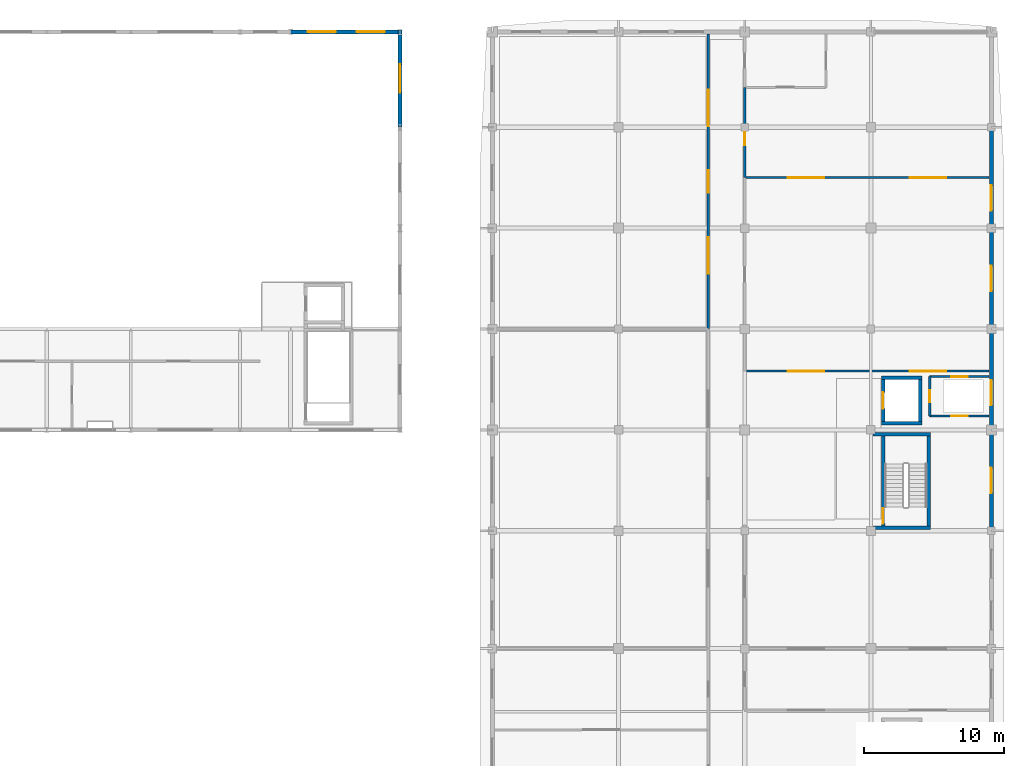
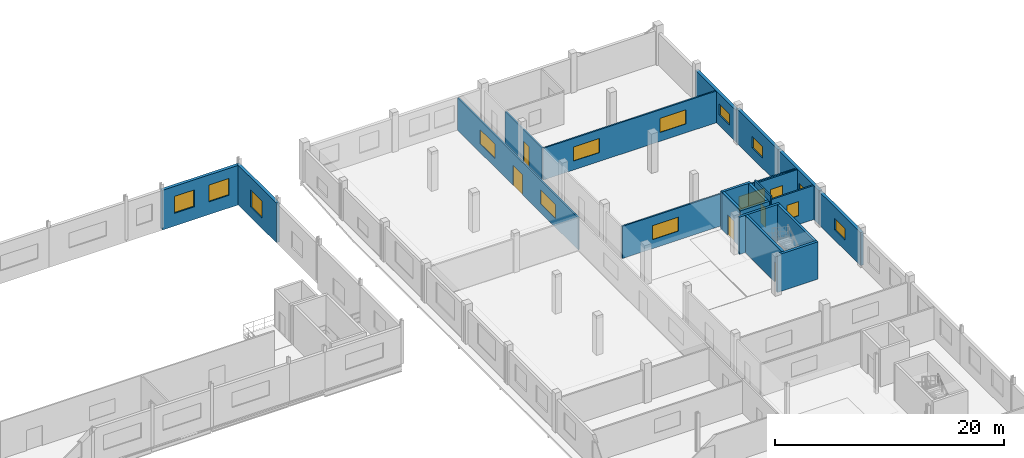
# One storey, part 103 of 121: 21 walls, 15 windows, 5 doors, 20 openings.
"""IFC4 building model written with IfcOpenShell, lengths in metres."""

from ifc_helpers import new_model, si_unit, direction, frame, frame_2d, origin, place, context, subcontext, project, spatial, rectangle, extrude, material, layer, layer_set, type_object, element, fill, save


model = new_model("IFC4")

# Units and contexts
model_context = context("Model", 3, precision=1e-05, world=origin(), true_north=direction((0.0, 1.0)))
body_context = subcontext(model_context, "Body", "Model", "MODEL_VIEW")
ifc_project = project(units=[si_unit("LENGTHUNIT", "METRE"), si_unit("AREAUNIT", "SQUARE_METRE"), si_unit("VOLUMEUNIT", "CUBIC_METRE"), si_unit("PLANEANGLEUNIT", "RADIAN"), si_unit("MASSUNIT", "GRAM", prefix="KILO")], contexts=[model_context])

# Site, building, storey
site_placement = place(None, origin())
site = spatial("IfcSite", under=ifc_project, at=site_placement, CompositionType="ELEMENT")
building_placement = place(site_placement, origin())
building = spatial("IfcBuilding", under=site, at=building_placement, Name="Vinh Khe Railworks Police Headquarters", CompositionType="ELEMENT")
storey_placement = place(building_placement, frame((0.0, 0.0, 4.800048828125)))
storey = spatial("IfcBuildingStorey", under=building, at=storey_placement, Name="L01", CompositionType="ELEMENT", Elevation=4.800048828125)

# Walls
ifc_material_1 = material(Name="Concrete C40/50 (B40)", Category="concrete")
ifc_layer_1 = layer(ifc_material_1, 0.25)
ifc_layer_set_1 = layer_set([ifc_layer_1], Name="Concrete C40/50 (B40)")
wall_type_1 = type_object("IfcWallType", Name="Core Shear Wall 250", PredefinedType="SHEAR", material=ifc_layer_set_1)
for number, where, z_axis, x_axis, name in (
    (1, (105.14990234375, 131.02490234375, 0.0), (0.0, 0.0, 1.0), (1.0, 0.0, 0.0), "Core C3 STAIR-S Shear Wall (L01)"),
    (2, (105.14990234375, 137.675048828125, 0.0), (0.0, 0.0, 1.0), (1.0, 0.0, 0.0), "Core C3 STAIR-N Shear Wall (L01)"),
):
    element("IfcWall", number, at=place(storey_placement, frame(where, z_axis=z_axis, x_axis=x_axis)), inside=storey, type_object=wall_type_1, Name=name, PredefinedType="SHEAR", context=body_context, shape_type="SweptSolid", body=[
        extrude(rectangle(XDim=4.10009765625, YDim=0.25, at=frame_2d((2.050048828125, 0.0))), origin(), (0.0, 0.0, 1.0), 3.97998046875),
    ])

# Wall, opening, door
wall_1_placement = place(storey_placement, frame((105.875, 131.14990234375, 0.0), z_axis=(0.0, 0.0, 1.0), x_axis=(0.0, 1.0, 0.0)))
wall_1 = element("IfcWall", 3, at=wall_1_placement, inside=storey, type_object=wall_type_1, Name="Core C3 STAIR-W Shear Wall (L01)", PredefinedType="SHEAR", context=body_context, shape_type="SweptSolid", body=[
    extrude(rectangle(XDim=6.400146484375, YDim=0.25, at=frame_2d((3.2001953125, 0.0))), origin(), (0.0, 0.0, 1.0), 3.97998046875),
])
opening_1_placement = place(wall_1_placement, frame((0.169921875, 0.0, 0.0)))
opening_1 = element("IfcOpeningElement", 4, at=opening_1_placement, cuts=wall_1, Name="Opening FD-01", PredefinedType="OPENING", context=body_context, shape_type="SweptSolid", body=[
    extrude(rectangle(XDim=1.10009765625, YDim=2.14990234375, at=frame_2d((0.550048828125, 1.074951171875))), frame((0.0, 0.139892578125, 0.0), z_axis=(0.0, -1.0, 0.0), x_axis=(1.0, 0.0, 0.0)), (0.0, 0.0, 1.0), 0.27978515625),
])
ifc_material_2 = material(Name="Painted galvanised steel", Category="steel")
door_type_1 = type_object("IfcDoorType", Name="FD-1100x2150", OperationType="NOTDEFINED", PredefinedType="DOOR", material=ifc_material_2)
door_1_placement = place(opening_1_placement, origin())
door_1 = element("IfcDoor", 5, at=door_1_placement, inside=storey, type_object=door_type_1, Name="Escape Stair ST-03 Fire Door L01", OperationType="SINGLE_SWING_RIGHT", OverallHeight=2.14990234375, OverallWidth=1.10009765625, PredefinedType="DOOR", context=body_context, shape_type="SweptSolid", body=[
    extrude(rectangle(XDim=1.10009765625, YDim=2.14990234375, at=frame_2d((0.550048828125, 1.074951171875))), frame((0.0, 0.02490234375, 0.0), z_axis=(0.0, -1.0, 0.0), x_axis=(1.0, 0.0, 0.0)), (0.0, 0.0, 1.0), 0.050048828125),
])
fill(opening_1, door_1)

# Walls
wall_2_placement = place(storey_placement, frame((109.125, 131.14990234375, 0.0), z_axis=(0.0, 0.0, 1.0), x_axis=(0.0, 1.0, 0.0)))
element("IfcWall", 6, at=wall_2_placement, inside=storey, type_object=wall_type_1, Name="Core C3 STAIR-E Shear Wall (L01)", PredefinedType="SHEAR", context=body_context, shape_type="SweptSolid", body=[
    extrude(rectangle(XDim=6.400146484375, YDim=0.25, at=frame_2d((3.2001953125, 0.0))), origin(), (0.0, 0.0, 1.0), 3.97998046875),
])
for number, where, z_axis, x_axis, name in (
    (7, (105.75, 138.47509765625, 0.0), (0.0, 0.0, 1.0), (1.0, 0.0, 0.0), "Core C3 PL-S Lift Shaft Wall (L01)"),
    (8, (105.75, 141.72509765625, 0.0), (0.0, 0.0, 1.0), (1.0, 0.0, 0.0), "Core C3 PL-N Lift Shaft Wall (L01)"),
):
    element("IfcWall", number, at=place(storey_placement, frame(where, z_axis=z_axis, x_axis=x_axis)), inside=storey, type_object=wall_type_1, Name=name, PredefinedType="SHEAR", context=body_context, shape_type="SweptSolid", body=[
        extrude(rectangle(XDim=2.89990234375, YDim=0.25, at=frame_2d((1.449951171875, 0.0))), origin(), (0.0, 0.0, 1.0), 3.97998046875),
    ])

# Wall, opening, door
wall_3_placement = place(storey_placement, frame((105.875, 138.60009765625, 0.0), z_axis=(0.0, 0.0, 1.0), x_axis=(0.0, 1.0, 0.0)))
wall_3 = element("IfcWall", 9, at=wall_3_placement, inside=storey, type_object=wall_type_1, Name="Core C3 PL-W Lift Shaft Wall (L01)", PredefinedType="SHEAR", context=body_context, shape_type="SweptSolid", body=[
    extrude(rectangle(XDim=3.0, YDim=0.25, at=frame_2d((1.5, 0.0))), origin(), (0.0, 0.0, 1.0), 3.97998046875),
])
opening_2_placement = place(wall_3_placement, frame((0.925048828125, 0.0, 0.0)))
opening_2 = element("IfcOpeningElement", 10, at=opening_2_placement, cuts=wall_3, Name="Opening LD-03", PredefinedType="OPENING", context=body_context, shape_type="SweptSolid", body=[
    extrude(rectangle(XDim=1.14990234375, YDim=2.14990234375, at=frame_2d((0.574951171875, 1.074951171875))), frame((0.0, 0.139892578125, 0.0), z_axis=(0.0, -1.0, 0.0), x_axis=(1.0, 0.0, 0.0)), (0.0, 0.0, 1.0), 0.27978515625),
])
door_type_2 = type_object("IfcDoorType", Name="LD-CUST-1150", OperationType="SLIDING_TO_LEFT", PredefinedType="DOOR", material=ifc_material_2)
door_2_placement = place(opening_2_placement, origin())
door_2 = element("IfcDoor", 11, at=door_2_placement, inside=storey, type_object=door_type_2, Name="Lift Landing Door PL-03 L01", OperationType="SLIDING_TO_LEFT", OverallHeight=2.14990234375, OverallWidth=1.14990234375, PredefinedType="DOOR", context=body_context, shape_type="SweptSolid", body=[
    extrude(rectangle(XDim=1.14990234375, YDim=2.14990234375, at=frame_2d((0.574951171875, 1.074951171875))), frame((0.0, 0.02490234375, 0.0), z_axis=(0.0, -1.0, 0.0), x_axis=(1.0, 0.0, 0.0)), (0.0, 0.0, 1.0), 0.050048828125),
])
fill(opening_2, door_2)

# Wall
wall_4_placement = place(storey_placement, frame((108.52490234375, 138.60009765625, 0.0), z_axis=(0.0, 0.0, 1.0), x_axis=(0.0, 1.0, 0.0)))
element("IfcWall", 12, at=wall_4_placement, inside=storey, type_object=wall_type_1, Name="Core C3 PL-E Lift Shaft Wall (L01)", PredefinedType="SHEAR", context=body_context, shape_type="SweptSolid", body=[
    extrude(rectangle(XDim=3.0, YDim=0.25, at=frame_2d((1.5, 0.0))), origin(), (0.0, 0.0, 1.0), 3.97998046875),
])

# Wall, opening, window
ifc_material_3 = material(Name="Clay brickwork", Category="masonry")
ifc_layer_2 = layer(ifc_material_3, 0.300048828125)
ifc_layer_set_2 = layer_set([ifc_layer_2], Name="Clay brickwork")
wall_type_2 = type_object("IfcWallType", Name="EW-BRK-300", PredefinedType="SOLIDWALL", material=ifc_layer_set_2)
wall_5_placement = place(storey_placement, frame((113.60009765625, 130.800048828125, 0.0), z_axis=(0.0, 0.0, 1.0), x_axis=(0.0, 1.0, 0.0)))
wall_5 = element("IfcWall", 13, at=wall_5_placement, inside=storey, type_object=wall_type_2, Name="Exterior Brick Wall EW-L01-V6E-05", PredefinedType="SOLIDWALL", context=body_context, shape_type="SweptSolid", body=[
    extrude(rectangle(XDim=7.199951171875, YDim=0.300048828125, at=frame_2d((3.60009765625, 0.0))), origin(), (0.0, 0.0, 1.0), 3.52490234375),
])
opening_3_placement = place(wall_5_placement, frame((2.699951171875, 0.0, 1.10009765625)))
opening_3 = element("IfcOpeningElement", 14, at=opening_3_placement, cuts=wall_5, Name="Opening WN-08", PredefinedType="OPENING", context=body_context, shape_type="SweptSolid", body=[
    extrude(rectangle(XDim=1.800048828125, YDim=1.199951171875, at=frame_2d((0.89990234375, 0.60009765625))), frame((0.0, 0.1650390625, 0.0), z_axis=(0.0, -1.0, 0.0), x_axis=(1.0, 0.0, 0.0)), (0.0, 0.0, 1.0), 0.329833984375),
])
ifc_material_4 = material(Name="Double-glazed solar-control glass in dark steel frame", Category="steel")
window_type_1 = type_object("IfcWindowType", Name="WIN-WN-08", PartitioningType="SINGLE_PANEL", PredefinedType="WINDOW", material=ifc_material_4)
window_1_placement = place(opening_3_placement, origin())
window_1 = element("IfcWindow", 15, at=window_1_placement, inside=storey, type_object=window_type_1, Name="Casement Window WN-08", OverallHeight=1.199951171875, OverallWidth=1.800048828125, PartitioningType="SINGLE_PANEL", PredefinedType="WINDOW", context=body_context, shape_type="SweptSolid", body=[
    extrude(rectangle(XDim=1.800048828125, YDim=1.199951171875, at=frame_2d((0.89990234375, 0.60009765625))), frame((0.0, 0.030029296875, 0.0), z_axis=(0.0, -1.0, 0.0), x_axis=(1.0, 0.0, 0.0)), (0.0, 0.0, 1.0), 0.06005859375),
])
fill(opening_3, window_1)

wall_6_placement = place(storey_placement, frame((113.60009765625, 138.0, 0.0), z_axis=(0.0, 0.0, 1.0), x_axis=(0.0, 1.0, 0.0)))
wall_6 = element("IfcWall", 16, at=wall_6_placement, inside=storey, type_object=wall_type_2, Name="Exterior Brick Wall EW-L01-V6E-06", PredefinedType="SOLIDWALL", context=body_context, shape_type="SweptSolid", body=[
    extrude(rectangle(XDim=7.199951171875, YDim=0.300048828125, at=frame_2d((3.60009765625, 0.0))), origin(), (0.0, 0.0, 1.0), 3.625),
])
opening_4_placement = place(wall_6_placement, frame((1.75, 0.0, 1.10009765625)))
opening_4 = element("IfcOpeningElement", 17, at=opening_4_placement, cuts=wall_6, Name="Opening WN-08", PredefinedType="OPENING", context=body_context, shape_type="SweptSolid", body=[
    extrude(rectangle(XDim=1.800048828125, YDim=1.199951171875, at=frame_2d((0.89990234375, 0.60009765625))), frame((0.0, 0.1650390625, 0.0), z_axis=(0.0, -1.0, 0.0), x_axis=(1.0, 0.0, 0.0)), (0.0, 0.0, 1.0), 0.329833984375),
])
window_2_placement = place(opening_4_placement, origin())
window_2 = element("IfcWindow", 18, at=window_2_placement, inside=storey, type_object=window_type_1, Name="Casement Window WN-08", OverallHeight=1.199951171875, OverallWidth=1.800048828125, PartitioningType="SINGLE_PANEL", PredefinedType="WINDOW", context=body_context, shape_type="SweptSolid", body=[
    extrude(rectangle(XDim=1.800048828125, YDim=1.199951171875, at=frame_2d((0.89990234375, 0.60009765625))), frame((0.0, 0.030029296875, 0.0), z_axis=(0.0, -1.0, 0.0), x_axis=(1.0, 0.0, 0.0)), (0.0, 0.0, 1.0), 0.06005859375),
])
fill(opening_4, window_2)

wall_7_placement = place(storey_placement, frame((113.60009765625, 145.199951171875, 0.0), z_axis=(0.0, 0.0, 1.0), x_axis=(0.0, 1.0, 0.0)))
wall_7 = element("IfcWall", 19, at=wall_7_placement, inside=storey, type_object=wall_type_2, Name="Exterior Brick Wall EW-L01-V6E-07", PredefinedType="SOLIDWALL", context=body_context, shape_type="SweptSolid", body=[
    extrude(rectangle(XDim=7.199951171875, YDim=0.300048828125, at=frame_2d((3.60009765625, 0.0))), origin(), (0.0, 0.0, 1.0), 3.64501953125),
])
opening_5_placement = place(wall_7_placement, frame((2.699951171875, 0.0, 1.10009765625)))
opening_5 = element("IfcOpeningElement", 20, at=opening_5_placement, cuts=wall_7, Name="Opening WN-08", PredefinedType="OPENING", context=body_context, shape_type="SweptSolid", body=[
    extrude(rectangle(XDim=1.800048828125, YDim=1.199951171875, at=frame_2d((0.89990234375, 0.60009765625))), frame((0.0, 0.1650390625, 0.0), z_axis=(0.0, -1.0, 0.0), x_axis=(1.0, 0.0, 0.0)), (0.0, 0.0, 1.0), 0.329833984375),
])
window_3_placement = place(opening_5_placement, origin())
window_3 = element("IfcWindow", 21, at=window_3_placement, inside=storey, type_object=window_type_1, Name="Casement Window WN-08", OverallHeight=1.199951171875, OverallWidth=1.800048828125, PartitioningType="SINGLE_PANEL", PredefinedType="WINDOW", context=body_context, shape_type="SweptSolid", body=[
    extrude(rectangle(XDim=1.800048828125, YDim=1.199951171875, at=frame_2d((0.89990234375, 0.60009765625))), frame((0.0, 0.030029296875, 0.0), z_axis=(0.0, -1.0, 0.0), x_axis=(1.0, 0.0, 0.0)), (0.0, 0.0, 1.0), 0.06005859375),
])
fill(opening_5, window_3)

wall_8_placement = place(storey_placement, frame((113.60009765625, 152.39990234375, 0.0), z_axis=(0.0, 0.0, 1.0), x_axis=(0.0, 1.0, 0.0)))
wall_8 = element("IfcWall", 22, at=wall_8_placement, inside=storey, type_object=wall_type_2, Name="Exterior Brick Wall EW-L01-V6E-08", PredefinedType="SOLIDWALL", context=body_context, shape_type="SweptSolid", body=[
    extrude(rectangle(XDim=7.2001953125, YDim=0.300048828125, at=frame_2d((3.60009765625, 0.0))), origin(), (0.0, 0.0, 1.0), 3.375),
])
opening_6_placement = place(wall_8_placement, frame((1.25, 0.0, 1.10009765625)))
opening_6 = element("IfcOpeningElement", 23, at=opening_6_placement, cuts=wall_8, Name="Opening WN-08", PredefinedType="OPENING", context=body_context, shape_type="SweptSolid", body=[
    extrude(rectangle(XDim=1.800048828125, YDim=1.199951171875, at=frame_2d((0.89990234375, 0.60009765625))), frame((0.0, 0.1650390625, 0.0), z_axis=(0.0, -1.0, 0.0), x_axis=(1.0, 0.0, 0.0)), (0.0, 0.0, 1.0), 0.329833984375),
])
window_4_placement = place(opening_6_placement, origin())
window_4 = element("IfcWindow", 24, at=window_4_placement, inside=storey, type_object=window_type_1, Name="Casement Window WN-08", OverallHeight=1.199951171875, OverallWidth=1.800048828125, PartitioningType="SINGLE_PANEL", PredefinedType="WINDOW", context=body_context, shape_type="SweptSolid", body=[
    extrude(rectangle(XDim=1.800048828125, YDim=1.199951171875, at=frame_2d((0.89990234375, 0.60009765625))), frame((0.0, 0.030029296875, 0.0), z_axis=(0.0, -1.0, 0.0), x_axis=(1.0, 0.0, 0.0)), (0.0, 0.0, 1.0), 0.06005859375),
])
fill(opening_6, window_4)

# Wall, openings, windows
wall_9_placement = place(storey_placement, frame((63.60009765625, 166.39990234375, -0.239990234375), z_axis=(0.0, 0.0, 1.0), x_axis=(1.0, 0.0, 0.0)))
wall_9 = element("IfcWall", 25, at=wall_9_placement, inside=storey, type_object=wall_type_2, Name="Exterior Brick Wall EW-L01-V3N-07", PredefinedType="SOLIDWALL", context=body_context, shape_type="SweptSolid", body=[
    extrude(rectangle(XDim=7.949951171875, YDim=0.300048828125, at=frame_2d((3.97509765625, 0.0))), origin(), (0.0, 0.0, 1.0), 4.219970703125),
])
opening_7_placement = place(wall_9_placement, frame((1.22607421875, 0.0, 1.35009765625)))
opening_7 = element("IfcOpeningElement", 26, at=opening_7_placement, cuts=wall_9, Name="Opening WN-04", PredefinedType="OPENING", context=body_context, shape_type="SweptSolid", body=[
    extrude(rectangle(XDim=2.0, YDim=1.800048828125, at=frame_2d((1.0, 0.89990234375))), frame((0.0, 0.1650390625, 0.0), z_axis=(0.0, -1.0, 0.0), x_axis=(1.0, 0.0, 0.0)), (0.0, 0.0, 1.0), 0.329833984375),
])
opening_8_placement = place(wall_9_placement, frame((4.72412109375, 0.0, 1.35009765625)))
opening_8 = element("IfcOpeningElement", 27, at=opening_8_placement, cuts=wall_9, Name="Opening WN-04", PredefinedType="OPENING", context=body_context, shape_type="SweptSolid", body=[
    extrude(rectangle(XDim=2.0, YDim=1.800048828125, at=frame_2d((1.0, 0.89990234375))), frame((0.0, 0.1650390625, 0.0), z_axis=(0.0, -1.0, 0.0), x_axis=(1.0, 0.0, 0.0)), (0.0, 0.0, 1.0), 0.329833984375),
])
window_type_2 = type_object("IfcWindowType", Name="WIN-WN-04", PartitioningType="DOUBLE_PANEL_VERTICAL", PredefinedType="WINDOW", material=ifc_material_4)
window_5_placement = place(opening_7_placement, origin())
window_5 = element("IfcWindow", 28, at=window_5_placement, inside=storey, type_object=window_type_2, Name="Casement Window WN-04", OverallHeight=1.800048828125, OverallWidth=2.0, PartitioningType="SINGLE_PANEL", PredefinedType="WINDOW", context=body_context, shape_type="SweptSolid", body=[
    extrude(rectangle(XDim=2.0, YDim=1.800048828125, at=frame_2d((1.0, 0.89990234375))), frame((0.0, 0.030029296875, 0.0), z_axis=(0.0, -1.0, 0.0), x_axis=(1.0, 0.0, 0.0)), (0.0, 0.0, 1.0), 0.06005859375),
])
fill(opening_7, window_5)
window_6_placement = place(opening_8_placement, origin())
window_6 = element("IfcWindow", 29, at=window_6_placement, inside=storey, type_object=window_type_2, Name="Casement Window WN-04", OverallHeight=1.800048828125, OverallWidth=2.0, PartitioningType="SINGLE_PANEL", PredefinedType="WINDOW", context=body_context, shape_type="SweptSolid", body=[
    extrude(rectangle(XDim=2.0, YDim=1.800048828125, at=frame_2d((1.0, 0.89990234375))), frame((0.0, 0.030029296875, 0.0), z_axis=(0.0, -1.0, 0.0), x_axis=(1.0, 0.0, 0.0)), (0.0, 0.0, 1.0), 0.06005859375),
])
fill(opening_8, window_6)

# Wall, opening, window
wall_10_placement = place(storey_placement, frame((71.39990234375, 159.60009765625, -0.239990234375), z_axis=(0.0, 0.0, 1.0), x_axis=(0.0, 1.0, 0.0)))
wall_10 = element("IfcWall", 30, at=wall_10_placement, inside=storey, type_object=wall_type_2, Name="Exterior Brick Wall EW-L01-V3E-03", PredefinedType="SOLIDWALL", context=body_context, shape_type="SweptSolid", body=[
    extrude(rectangle(XDim=6.949951171875, YDim=0.300048828125, at=frame_2d((3.47509765625, 0.0))), origin(), (0.0, 0.0, 1.0), 4.219970703125),
])
opening_9_placement = place(wall_10_placement, frame((2.47509765625, 0.0, 1.10009765625)))
opening_9 = element("IfcOpeningElement", 31, at=opening_9_placement, cuts=wall_10, Name="Opening WN-04", PredefinedType="OPENING", context=body_context, shape_type="SweptSolid", body=[
    extrude(rectangle(XDim=2.0, YDim=1.800048828125, at=frame_2d((1.0, 0.89990234375))), frame((0.0, 0.1650390625, 0.0), z_axis=(0.0, -1.0, 0.0), x_axis=(1.0, 0.0, 0.0)), (0.0, 0.0, 1.0), 0.329833984375),
])
window_7_placement = place(opening_9_placement, origin())
window_7 = element("IfcWindow", 32, at=window_7_placement, inside=storey, type_object=window_type_2, Name="Casement Window WN-04", OverallHeight=1.800048828125, OverallWidth=2.0, PartitioningType="SINGLE_PANEL", PredefinedType="WINDOW", context=body_context, shape_type="SweptSolid", body=[
    extrude(rectangle(XDim=2.0, YDim=1.800048828125, at=frame_2d((1.0, 0.89990234375))), frame((0.0, 0.030029296875, 0.0), z_axis=(0.0, -1.0, 0.0), x_axis=(1.0, 0.0, 0.0)), (0.0, 0.0, 1.0), 0.06005859375),
])
fill(opening_9, window_7)

# Wall, openings, windows
ifc_material_5 = material(Name="Gypsum plasterboard on steel stud", Category="steel")
ifc_layer_3 = layer(ifc_material_5, 0.1201171875)
ifc_layer_set_3 = layer_set([ifc_layer_3], Name="Gypsum plasterboard on steel stud")
wall_type_3 = type_object("IfcWallType", Name="IW-PART-120", PredefinedType="PARTITIONING", material=ifc_layer_set_3)
wall_11_placement = place(storey_placement, frame((96.0, 142.199951171875, 0.0), z_axis=(0.0, 0.0, 1.0), x_axis=(1.0, 0.0, 0.0)))
wall_11 = element("IfcWall", 33, at=wall_11_placement, inside=storey, type_object=wall_type_3, Name="Interior Partition W-L01-V6-TRACE-DIV", PredefinedType="PARTITIONING", context=body_context, shape_type="SweptSolid", body=[
    extrude(rectangle(XDim=17.43994140625, YDim=0.14990234375, at=frame_2d((8.719970703125, 0.0))), origin(), (0.0, 0.0, 1.0), 3.425048828125),
])
opening_10_placement = place(wall_11_placement, frame((3.06005859375, 0.0, 0.949951171875)))
opening_10 = element("IfcOpeningElement", 34, at=opening_10_placement, cuts=wall_11, Name="Opening WN-07", PredefinedType="OPENING", context=body_context, shape_type="SweptSolid", body=[
    extrude(rectangle(XDim=2.60009765625, YDim=1.5, at=frame_2d((1.300048828125, 0.75))), frame((0.0, 0.08984375, 0.0), z_axis=(0.0, -1.0, 0.0), x_axis=(1.0, 0.0, 0.0)), (0.0, 0.0, 1.0), 0.1796875),
])
opening_11_placement = place(wall_11_placement, frame((11.780029296875, 0.0, 0.949951171875)))
opening_11 = element("IfcOpeningElement", 35, at=opening_11_placement, cuts=wall_11, Name="Opening WN-07", PredefinedType="OPENING", context=body_context, shape_type="SweptSolid", body=[
    extrude(rectangle(XDim=2.60009765625, YDim=1.5, at=frame_2d((1.300048828125, 0.75))), frame((0.0, 0.08984375, 0.0), z_axis=(0.0, -1.0, 0.0), x_axis=(1.0, 0.0, 0.0)), (0.0, 0.0, 1.0), 0.1796875),
])
window_type_3 = type_object("IfcWindowType", Name="WIN-WN-07", PartitioningType="DOUBLE_PANEL_HORIZONTAL", PredefinedType="WINDOW", material=ifc_material_4)
window_8_placement = place(opening_10_placement, origin())
window_8 = element("IfcWindow", 36, at=window_8_placement, inside=storey, type_object=window_type_3, Name="Interior Acoustic Vision Window WN-07", OverallHeight=1.5, OverallWidth=2.60009765625, PartitioningType="SINGLE_PANEL", PredefinedType="WINDOW", context=body_context, shape_type="SweptSolid", body=[
    extrude(rectangle(XDim=2.60009765625, YDim=1.5, at=frame_2d((1.300048828125, 0.75))), frame((0.0, 0.030029296875, 0.0), z_axis=(0.0, -1.0, 0.0), x_axis=(1.0, 0.0, 0.0)), (0.0, 0.0, 1.0), 0.06005859375),
])
fill(opening_10, window_8)
window_9_placement = place(opening_11_placement, origin())
window_9 = element("IfcWindow", 37, at=window_9_placement, inside=storey, type_object=window_type_3, Name="Interior Acoustic Vision Window WN-07", OverallHeight=1.5, OverallWidth=2.60009765625, PartitioningType="SINGLE_PANEL", PredefinedType="WINDOW", context=body_context, shape_type="SweptSolid", body=[
    extrude(rectangle(XDim=2.60009765625, YDim=1.5, at=frame_2d((1.300048828125, 0.75))), frame((0.0, 0.030029296875, 0.0), z_axis=(0.0, -1.0, 0.0), x_axis=(1.0, 0.0, 0.0)), (0.0, 0.0, 1.0), 0.06005859375),
])
fill(opening_11, window_9)

wall_12_placement = place(storey_placement, frame((96.0, 156.0, 0.0), z_axis=(0.0, 0.0, 1.0), x_axis=(1.0, 0.0, 0.0)))
wall_12 = element("IfcWall", 38, at=wall_12_placement, inside=storey, type_object=wall_type_3, Name="Interior Partition W-L01-V6-V6WC1-DIV", PredefinedType="PARTITIONING", context=body_context, shape_type="SweptSolid", body=[
    extrude(rectangle(XDim=17.43994140625, YDim=0.14990234375, at=frame_2d((8.719970703125, 0.0))), origin(), (0.0, 0.0, 1.0), 3.375),
])
opening_12_placement = place(wall_12_placement, frame((3.06005859375, 0.0, 0.949951171875)))
opening_12 = element("IfcOpeningElement", 39, at=opening_12_placement, cuts=wall_12, Name="Opening WN-07", PredefinedType="OPENING", context=body_context, shape_type="SweptSolid", body=[
    extrude(rectangle(XDim=2.60009765625, YDim=1.5, at=frame_2d((1.300048828125, 0.75))), frame((0.0, 0.08984375, 0.0), z_axis=(0.0, -1.0, 0.0), x_axis=(1.0, 0.0, 0.0)), (0.0, 0.0, 1.0), 0.1796875),
])
opening_13_placement = place(wall_12_placement, frame((11.780029296875, 0.0, 0.949951171875)))
opening_13 = element("IfcOpeningElement", 40, at=opening_13_placement, cuts=wall_12, Name="Opening WN-07", PredefinedType="OPENING", context=body_context, shape_type="SweptSolid", body=[
    extrude(rectangle(XDim=2.60009765625, YDim=1.5, at=frame_2d((1.300048828125, 0.75))), frame((0.0, 0.08984375, 0.0), z_axis=(0.0, -1.0, 0.0), x_axis=(1.0, 0.0, 0.0)), (0.0, 0.0, 1.0), 0.1796875),
])
window_10_placement = place(opening_12_placement, origin())
window_10 = element("IfcWindow", 41, at=window_10_placement, inside=storey, type_object=window_type_3, Name="Interior Acoustic Vision Window WN-07", OverallHeight=1.5, OverallWidth=2.60009765625, PartitioningType="SINGLE_PANEL", PredefinedType="WINDOW", context=body_context, shape_type="SweptSolid", body=[
    extrude(rectangle(XDim=2.60009765625, YDim=1.5, at=frame_2d((1.300048828125, 0.75))), frame((0.0, 0.030029296875, 0.0), z_axis=(0.0, -1.0, 0.0), x_axis=(1.0, 0.0, 0.0)), (0.0, 0.0, 1.0), 0.06005859375),
])
fill(opening_12, window_10)
window_11_placement = place(opening_13_placement, origin())
window_11 = element("IfcWindow", 42, at=window_11_placement, inside=storey, type_object=window_type_3, Name="Interior Acoustic Vision Window WN-07", OverallHeight=1.5, OverallWidth=2.60009765625, PartitioningType="SINGLE_PANEL", PredefinedType="WINDOW", context=body_context, shape_type="SweptSolid", body=[
    extrude(rectangle(XDim=2.60009765625, YDim=1.5, at=frame_2d((1.300048828125, 0.75))), frame((0.0, 0.030029296875, 0.0), z_axis=(0.0, -1.0, 0.0), x_axis=(1.0, 0.0, 0.0)), (0.0, 0.0, 1.0), 0.06005859375),
])
fill(opening_13, window_11)

# Wall, opening, window
ifc_material_6 = material(Name="Gypsum plasterboard on acoustic steel stud", Category="steel")
ifc_layer_4 = layer(ifc_material_6, 0.14990234375)
ifc_layer_set_4 = layer_set([ifc_layer_4], Name="Gypsum plasterboard on acoustic steel stud")
wall_type_4 = type_object("IfcWallType", Name="IW-PART-150", PredefinedType="PARTITIONING", material=ifc_layer_set_4)
wall_13_placement = place(storey_placement, frame((109.199951171875, 139.0, 0.0), z_axis=(0.0, 0.0, 1.0), x_axis=(1.0, 0.0, 0.0)))
wall_13 = element("IfcWall", 43, at=wall_13_placement, inside=storey, type_object=wall_type_4, Name="Interior Partition W-RSR-C3-S-L01", PredefinedType="PARTITIONING", context=body_context, shape_type="SweptSolid", body=[
    extrude(rectangle(XDim=4.239990234375, YDim=0.14990234375, at=frame_2d((2.1201171875, 0.0))), origin(), (0.0, 0.0, 1.0), 3.625),
])
opening_14_placement = place(wall_13_placement, frame((1.52001953125, 0.0, 0.949951171875)))
opening_14 = element("IfcOpeningElement", 44, at=opening_14_placement, cuts=wall_13, Name="Opening WN-10", PredefinedType="OPENING", context=body_context, shape_type="SweptSolid", body=[
    extrude(rectangle(XDim=1.199951171875, YDim=1.5, at=frame_2d((0.60009765625, 0.75))), frame((0.0, 0.08984375, 0.0), z_axis=(0.0, -1.0, 0.0), x_axis=(1.0, 0.0, 0.0)), (0.0, 0.0, 1.0), 0.1796875),
])
window_type_4 = type_object("IfcWindowType", Name="WIN-WN-10", PartitioningType="SINGLE_PANEL", PredefinedType="WINDOW", material=ifc_material_4)
window_12_placement = place(opening_14_placement, origin())
window_12 = element("IfcWindow", 45, at=window_12_placement, inside=storey, type_object=window_type_4, Name="Interior Acoustic Vision Window WN-10", OverallHeight=1.5, OverallWidth=1.199951171875, PartitioningType="SINGLE_PANEL", PredefinedType="WINDOW", context=body_context, shape_type="SweptSolid", body=[
    extrude(rectangle(XDim=1.199951171875, YDim=1.5, at=frame_2d((0.60009765625, 0.75))), frame((0.0, 0.030029296875, 0.0), z_axis=(0.0, -1.0, 0.0), x_axis=(1.0, 0.0, 0.0)), (0.0, 0.0, 1.0), 0.06005859375),
])
fill(opening_14, window_12)

wall_14_placement = place(storey_placement, frame((109.199951171875, 141.800048828125, 0.0), z_axis=(0.0, 0.0, 1.0), x_axis=(1.0, 0.0, 0.0)))
wall_14 = element("IfcWall", 46, at=wall_14_placement, inside=storey, type_object=wall_type_4, Name="Interior Partition W-RSR-C3-N-L01", PredefinedType="PARTITIONING", context=body_context, shape_type="SweptSolid", body=[
    extrude(rectangle(XDim=4.239990234375, YDim=0.14990234375, at=frame_2d((2.1201171875, 0.0))), origin(), (0.0, 0.0, 1.0), 3.625),
])
opening_15_placement = place(wall_14_placement, frame((1.52001953125, 0.0, 0.949951171875)))
opening_15 = element("IfcOpeningElement", 47, at=opening_15_placement, cuts=wall_14, Name="Opening WN-10", PredefinedType="OPENING", context=body_context, shape_type="SweptSolid", body=[
    extrude(rectangle(XDim=1.199951171875, YDim=1.5, at=frame_2d((0.60009765625, 0.75))), frame((0.0, 0.08984375, 0.0), z_axis=(0.0, -1.0, 0.0), x_axis=(1.0, 0.0, 0.0)), (0.0, 0.0, 1.0), 0.1796875),
])
window_13_placement = place(opening_15_placement, origin())
window_13 = element("IfcWindow", 48, at=window_13_placement, inside=storey, type_object=window_type_4, Name="Interior Acoustic Vision Window WN-10", OverallHeight=1.5, OverallWidth=1.199951171875, PartitioningType="SINGLE_PANEL", PredefinedType="WINDOW", context=body_context, shape_type="SweptSolid", body=[
    extrude(rectangle(XDim=1.199951171875, YDim=1.5, at=frame_2d((0.60009765625, 0.75))), frame((0.0, 0.030029296875, 0.0), z_axis=(0.0, -1.0, 0.0), x_axis=(1.0, 0.0, 0.0)), (0.0, 0.0, 1.0), 0.06005859375),
])
fill(opening_15, window_13)

# Wall, opening, door
wall_15_placement = place(storey_placement, frame((109.199951171875, 139.0, 0.0), z_axis=(0.0, 0.0, 1.0), x_axis=(0.0, 1.0, 0.0)))
wall_15 = element("IfcWall", 49, at=wall_15_placement, inside=storey, type_object=wall_type_4, Name="Interior Partition W-RSR-C3-W-L01", PredefinedType="PARTITIONING", context=body_context, shape_type="SweptSolid", body=[
    extrude(rectangle(XDim=2.800048828125, YDim=0.14990234375, at=frame_2d((1.39990234375, 0.0))), origin(), (0.0, 0.0, 1.0), 3.974853515625),
])
opening_16_placement = place(wall_15_placement, frame((0.97509765625, 0.0, 0.0)))
opening_16 = element("IfcOpeningElement", 50, at=opening_16_placement, cuts=wall_15, Name="Opening FD-04", PredefinedType="OPENING", context=body_context, shape_type="SweptSolid", body=[
    extrude(rectangle(XDim=0.85009765625, YDim=2.10009765625, at=frame_2d((0.425048828125, 1.050048828125))), frame((0.0, 0.08984375, 0.0), z_axis=(0.0, -1.0, 0.0), x_axis=(1.0, 0.0, 0.0)), (0.0, 0.0, 1.0), 0.1796875),
])
door_type_3 = type_object("IfcDoorType", Name="FD-850x2100", OperationType="NOTDEFINED", PredefinedType="DOOR", material=ifc_material_2)
door_3_placement = place(opening_16_placement, frame((0.85009765625, 0.0, 0.0), z_axis=(0.0, 0.0, 1.0), x_axis=(-1.0, 0.0, 0.0)))
door_3 = element("IfcDoor", 51, at=door_3_placement, inside=storey, type_object=door_type_3, Name="Fume Riser Access Door", OperationType="SINGLE_SWING_LEFT", OverallHeight=2.10009765625, OverallWidth=0.85009765625, PredefinedType="DOOR", context=body_context, shape_type="SweptSolid", body=[
    extrude(rectangle(XDim=0.85009765625, YDim=2.10009765625, at=frame_2d((0.425048828125, 1.050048828125))), frame((0.0, 0.02490234375, 0.0), z_axis=(0.0, -1.0, 0.0), x_axis=(1.0, 0.0, 0.0)), (0.0, 0.0, 1.0), 0.050048828125),
])
fill(opening_16, door_3)

# Wall, openings, door, windows
wall_16_placement = place(storey_placement, frame((93.39990234375, 145.199951171875, 0.0), z_axis=(0.0, 0.0, 1.0), x_axis=(0.0, 1.0, 0.0)))
wall_16 = element("IfcWall", 52, at=wall_16_placement, inside=storey, type_object=wall_type_4, Name="Interior Partition W-L01-V6-TBRF-CW", PredefinedType="PARTITIONING", context=body_context, shape_type="SweptSolid", body=[
    extrude(rectangle(XDim=21.0400390625, YDim=0.14990234375, at=frame_2d((10.52001953125, 0.0))), origin(), (0.0, 0.0, 1.0), 3.43505859375),
])
opening_17_placement = place(wall_16_placement, frame((9.719970703125, 0.0, 0.0)))
opening_17 = element("IfcOpeningElement", 53, at=opening_17_placement, cuts=wall_16, Name="Opening D-03", PredefinedType="OPENING", context=body_context, shape_type="SweptSolid", body=[
    extrude(rectangle(XDim=1.60009765625, YDim=2.14990234375, at=frame_2d((0.800048828125, 1.074951171875))), frame((0.0, 0.08984375, 0.0), z_axis=(0.0, -1.0, 0.0), x_axis=(1.0, 0.0, 0.0)), (0.0, 0.0, 1.0), 0.1796875),
])
opening_18_placement = place(wall_16_placement, frame((3.9599609375, 0.0, 0.949951171875)))
opening_18 = element("IfcOpeningElement", 54, at=opening_18_placement, cuts=wall_16, Name="Opening WN-07", PredefinedType="OPENING", context=body_context, shape_type="SweptSolid", body=[
    extrude(rectangle(XDim=2.60009765625, YDim=1.5, at=frame_2d((1.300048828125, 0.75))), frame((0.0, 0.08984375, 0.0), z_axis=(0.0, -1.0, 0.0), x_axis=(1.0, 0.0, 0.0)), (0.0, 0.0, 1.0), 0.1796875),
])
opening_19_placement = place(wall_16_placement, frame((14.47998046875, 0.0, 0.949951171875)))
opening_19 = element("IfcOpeningElement", 55, at=opening_19_placement, cuts=wall_16, Name="Opening WN-07", PredefinedType="OPENING", context=body_context, shape_type="SweptSolid", body=[
    extrude(rectangle(XDim=2.60009765625, YDim=1.5, at=frame_2d((1.300048828125, 0.75))), frame((0.0, 0.08984375, 0.0), z_axis=(0.0, -1.0, 0.0), x_axis=(1.0, 0.0, 0.0)), (0.0, 0.0, 1.0), 0.1796875),
])
door_type_4 = type_object("IfcDoorType", Name="ID-1600x2150", OperationType="DOUBLE_DOOR_SINGLE_SWING", PredefinedType="DOOR", material=ifc_material_2)
door_4_placement = place(opening_17_placement, origin())
door_4 = element("IfcDoor", 56, at=door_4_placement, inside=storey, type_object=door_type_4, Name="Tactical Briefing Room Door", OperationType="DOUBLE_DOOR_SINGLE_SWING", OverallHeight=2.14990234375, OverallWidth=1.60009765625, PredefinedType="DOOR", context=body_context, shape_type="SweptSolid", body=[
    extrude(rectangle(XDim=1.60009765625, YDim=2.14990234375, at=frame_2d((0.800048828125, 1.074951171875))), frame((0.0, 0.02490234375, 0.0), z_axis=(0.0, -1.0, 0.0), x_axis=(1.0, 0.0, 0.0)), (0.0, 0.0, 1.0), 0.050048828125),
])
fill(opening_17, door_4)
window_14_placement = place(opening_18_placement, origin())
window_14 = element("IfcWindow", 57, at=window_14_placement, inside=storey, type_object=window_type_3, Name="Interior Acoustic Vision Window WN-07", OverallHeight=1.5, OverallWidth=2.60009765625, PartitioningType="SINGLE_PANEL", PredefinedType="WINDOW", context=body_context, shape_type="SweptSolid", body=[
    extrude(rectangle(XDim=2.60009765625, YDim=1.5, at=frame_2d((1.300048828125, 0.75))), frame((0.0, 0.030029296875, 0.0), z_axis=(0.0, -1.0, 0.0), x_axis=(1.0, 0.0, 0.0)), (0.0, 0.0, 1.0), 0.06005859375),
])
fill(opening_18, window_14)
window_15_placement = place(opening_19_placement, origin())
window_15 = element("IfcWindow", 58, at=window_15_placement, inside=storey, type_object=window_type_3, Name="Interior Acoustic Vision Window WN-07", OverallHeight=1.5, OverallWidth=2.60009765625, PartitioningType="SINGLE_PANEL", PredefinedType="WINDOW", context=body_context, shape_type="SweptSolid", body=[
    extrude(rectangle(XDim=2.60009765625, YDim=1.5, at=frame_2d((1.300048828125, 0.75))), frame((0.0, 0.030029296875, 0.0), z_axis=(0.0, -1.0, 0.0), x_axis=(1.0, 0.0, 0.0)), (0.0, 0.0, 1.0), 0.06005859375),
])
fill(opening_19, window_15)

# Wall, opening, door
wall_17_placement = place(storey_placement, frame((96.0, 156.0, 0.0), z_axis=(0.0, 0.0, 1.0), x_axis=(0.0, 1.0, 0.0)))
wall_17 = element("IfcWall", 59, at=wall_17_placement, inside=storey, type_object=wall_type_4, Name="Interior Partition W-L01-V6-V6WC1S-CE", PredefinedType="PARTITIONING", context=body_context, shape_type="SweptSolid", body=[
    extrude(rectangle(XDim=6.447021484375, YDim=0.14990234375, at=frame_2d((3.2236328125, 0.0))), origin(), (0.0, 0.0, 1.0), 3.375),
])
opening_20_placement = place(wall_17_placement, frame((2.299072265625, 0.0, 0.0)))
opening_20 = element("IfcOpeningElement", 60, at=opening_20_placement, cuts=wall_17, Name="Opening D-01", PredefinedType="OPENING", context=body_context, shape_type="SweptSolid", body=[
    extrude(rectangle(XDim=0.949951171875, YDim=2.14990234375, at=frame_2d((0.47509765625, 1.074951171875))), frame((0.0, 0.08984375, 0.0), z_axis=(0.0, -1.0, 0.0), x_axis=(1.0, 0.0, 0.0)), (0.0, 0.0, 1.0), 0.1796875),
])
ifc_material_7 = material(Name="Seasoned hardwood timber", Category="wood")
door_type_5 = type_object("IfcDoorType", Name="ID-950x2150", OperationType="NOTDEFINED", PredefinedType="DOOR", material=ifc_material_7)
door_5_placement = place(opening_20_placement, origin())
door_5 = element("IfcDoor", 61, at=door_5_placement, inside=storey, type_object=door_type_5, Name="Floor Supplies Store Door", OperationType="SINGLE_SWING_RIGHT", OverallHeight=2.14990234375, OverallWidth=0.949951171875, PredefinedType="DOOR", context=body_context, shape_type="SweptSolid", body=[
    extrude(rectangle(XDim=0.949951171875, YDim=2.14990234375, at=frame_2d((0.47509765625, 1.074951171875))), frame((0.0, 0.02490234375, 0.0), z_axis=(0.0, -1.0, 0.0), x_axis=(1.0, 0.0, 0.0)), (0.0, 0.0, 1.0), 0.050048828125),
])
fill(opening_20, door_5)

save(model, "model.ifc")
